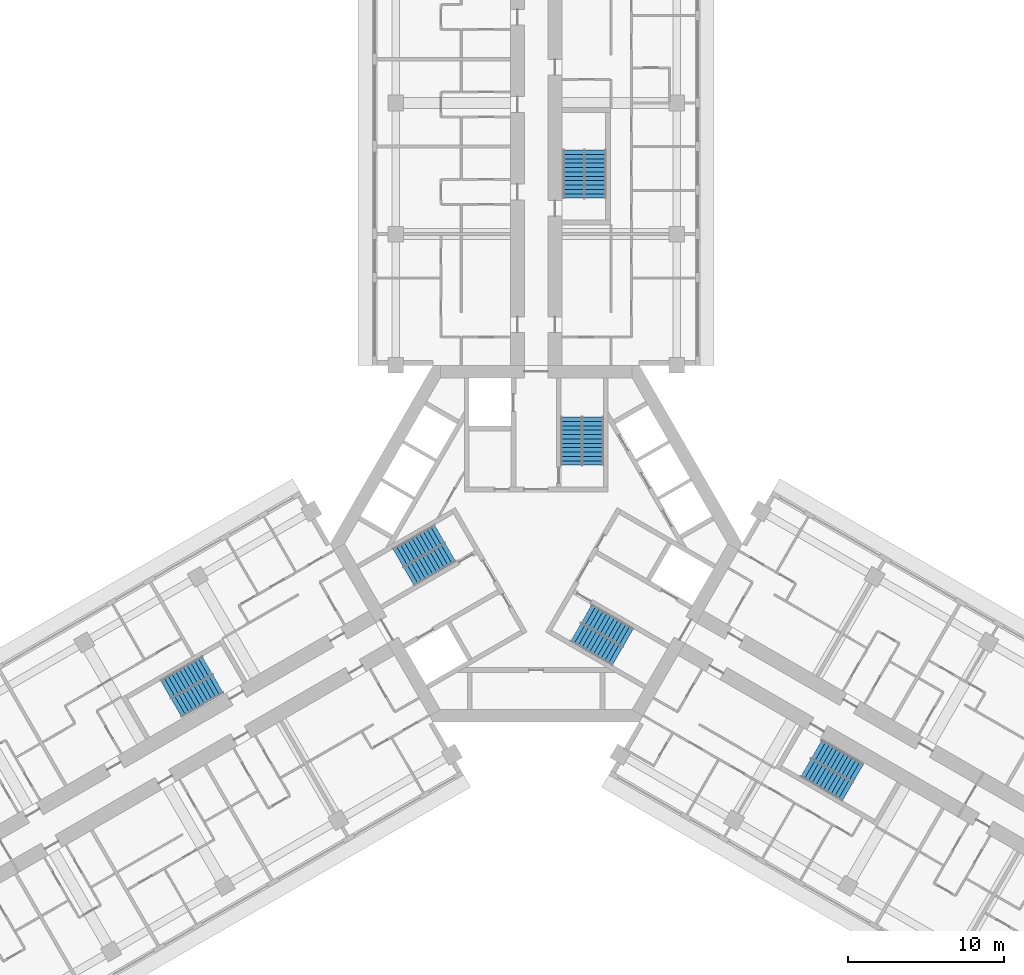
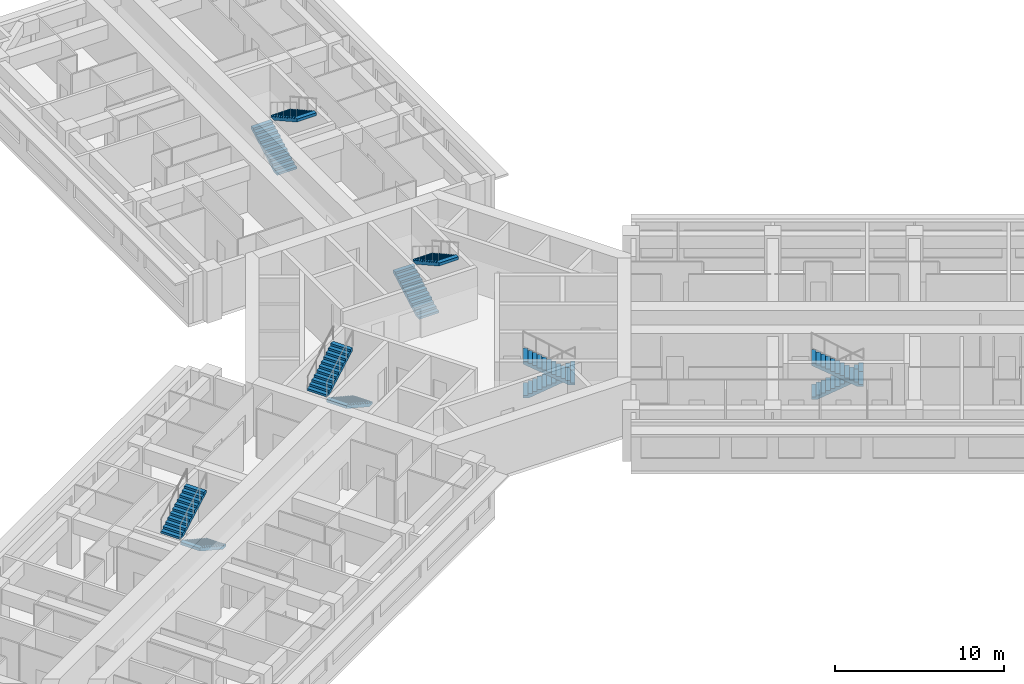
# One storey, part 14 of 15: 12 stair flights, 6 elements without a shape of their own.
"""IFC4 building model written with IfcOpenShell, lengths in metres."""

import ifcopenshell
import ifcopenshell.guid

model = None  # the IFC model being written
_history = None  # IfcOwnerHistory: only IFC2X3 demands one
_inside = {}  # id of a spatial element -> (the spatial element, [elements in it])
_under = {}  # id of a project, library or spatial element -> (it, [spatial elements below it])
_declared = {}  # id of a project -> (the project, [libraries it declares])
_typed = {}  # id of a type object -> (the type object, [elements of that type])
_made_of = {}  # id of a material, layer set ... -> (it, [elements and type objects made of it])


def new_model(schema):
    """Start an empty IFC model of exactly this schema.

    Asked for "IFC4X3", IfcOpenShell would pick the latest addendum, in which some entities
    have other attributes; the version numbers below select the first issue.
    IFC2X3 requires an IfcOwnerHistory on every rooted entity: one is made here for all.
    """
    global model, _history
    if schema == "IFC4X3":
        model = ifcopenshell.file(schema_version=(4, 3, 0, 0))
    else:
        model = ifcopenshell.file(schema=schema)
    _inside.clear()
    _under.clear()
    _declared.clear()
    _typed.clear()
    _made_of.clear()
    _history = None
    if model.schema == "IFC2X3":
        org = make("IfcOrganization", Name="unknown")
        user = make(
            "IfcPersonAndOrganization",
            ThePerson=make("IfcPerson", FamilyName="unknown"),
            TheOrganization=org,
        )
        app = make(
            "IfcApplication",
            ApplicationDeveloper=org,
            Version="unknown",
            ApplicationFullName="unknown",
            ApplicationIdentifier="unknown",
        )
        _history = make(
            "IfcOwnerHistory",
            OwningUser=user,
            OwningApplication=app,
            ChangeAction="ADDED",
            CreationDate=0,
        )
    return model


def make(cls, **values):
    """One entity of the class cls with the attributes given. An attribute that is None is left unset."""
    return model.create_entity(
        cls, **{name: value for name, value in values.items() if value is not None}
    )


def rooted(cls, **values):
    """An entity with a GlobalId (a new one), such as an element, a storey or a relation."""
    return make(cls, GlobalId=ifcopenshell.guid.new(), OwnerHistory=_history, **values)


def si_unit(unit_type, name, prefix=None):
    """IfcSIUnit, for example si_unit("LENGTHUNIT", "METRE", prefix="MILLI")."""
    return make("IfcSIUnit", UnitType=unit_type, Prefix=prefix, Name=name)


def assignment(units):
    """IfcUnitAssignment: the units of a project."""
    return None if units is None else make("IfcUnitAssignment", Units=units)


def point(xyz):
    """IfcCartesianPoint."""
    return None if xyz is None else make("IfcCartesianPoint", Coordinates=xyz)


def direction(xyz):
    """IfcDirection."""
    return None if xyz is None else make("IfcDirection", DirectionRatios=xyz)


def frame(location, z_axis=None, x_axis=None):
    """IfcAxis2Placement3D, a coordinate frame: its origin and axes. An axis left out is left unset."""
    return make(
        "IfcAxis2Placement3D",
        Location=point(location),
        Axis=direction(z_axis),
        RefDirection=direction(x_axis),
    )


def origin():
    """The frame at (0, 0, 0) with its axes left unset."""
    return frame((0.0, 0.0, 0.0))


def place(relative_to, where):
    """IfcLocalPlacement: puts the frame where relative to a parent placement (None: the world)."""
    return make(
        "IfcLocalPlacement", PlacementRelTo=relative_to, RelativePlacement=where
    )


def context(
    kind, dimensions, precision=None, world=None, true_north=None, identifier=None
):
    """IfcGeometricRepresentationContext, for example the 3D "Model" context."""
    return make(
        "IfcGeometricRepresentationContext",
        ContextIdentifier=identifier,
        ContextType=kind,
        CoordinateSpaceDimension=dimensions,
        Precision=precision,
        WorldCoordinateSystem=world,
        TrueNorth=true_north,
    )


def subcontext(parent, identifier, kind, view, scale=None):
    """IfcGeometricRepresentationSubContext, for example "Body" below "Model"."""
    return make(
        "IfcGeometricRepresentationSubContext",
        ContextIdentifier=identifier,
        ContextType=kind,
        ParentContext=parent,
        TargetScale=scale,
        TargetView=view,
    )


def project(units=None, contexts=None):
    """IfcProject with its units and contexts."""
    return rooted(
        "IfcProject",
        Name="project",
        RepresentationContexts=contexts,
        UnitsInContext=assignment(units),
    )


def spatial(cls, under=None, at=None, **own):
    """A site, building, storey or space (cls), placed at a placement, below another one or the project."""
    s = rooted(cls, ObjectPlacement=at, **own)
    if under is not None:
        _under.setdefault(under.id(), (under, []))[1].append(s)
    return s


def polyline(points):
    """IfcPolyline through the points."""
    return make("IfcPolyline", Points=[point(p) for p in points])


def outline(outer, holes=None, kind="AREA"):
    """IfcArbitraryClosedProfileDef: a profile drawn as a closed curve; with holes, ...WithVoids."""
    if holes is None:
        return make("IfcArbitraryClosedProfileDef", ProfileType=kind, OuterCurve=outer)
    return make(
        "IfcArbitraryProfileDefWithVoids",
        ProfileType=kind,
        OuterCurve=outer,
        InnerCurves=holes,
    )


def extrude(swept, where, along, depth):
    """IfcExtrudedAreaSolid: the profile swept, set in the frame where, extruded along a direction by depth."""
    return make(
        "IfcExtrudedAreaSolid",
        SweptArea=swept,
        Position=where,
        ExtrudedDirection=direction(along),
        Depth=depth,
    )


def shape(context_of_items, identifier, shape_type, items):
    """IfcShapeRepresentation: the items that make up one representation, for example the "Body"."""
    return make(
        "IfcShapeRepresentation",
        ContextOfItems=context_of_items,
        RepresentationIdentifier=identifier,
        RepresentationType=shape_type,
        Items=items,
    )


def material(Name=None, Category=None):
    """IfcMaterial."""
    return make("IfcMaterial", Name=Name, Category=Category)


def made_of(thing, what):
    """Note that an element or type object is made of a material, layer set ...; save() writes the relation."""
    if what is not None:
        _made_of.setdefault(what.id(), (what, []))[1].append(thing)
    return thing


def type_object(cls, material=None, **own):
    """A type object (cls), such as IfcWallType, which elements share."""
    return made_of(rooted(cls, **own), material)


def element(
    cls,
    number,
    at=None,
    inside=None,
    cuts=None,
    type_object=None,
    material=None,
    context=None,
    identifier="Body",
    shape_type=None,
    held_by="IfcProductDefinitionShape",
    body=None,
    shapes=None,
    **own,
):
    """One element of the class cls, such as IfcWall. Its Tag is "e" and its number.

    at: its placement. inside: the storey or other place that contains it. cuts: it is an
    opening in that element (IfcRelVoidsElement). A single representation is given by context,
    identifier, shape_type and body (its items); several are given by shapes. held_by: the class
    of the entity that holds the representations. save() writes the other relations.
    """
    e = rooted(cls, Tag="e%d" % number, ObjectPlacement=at, **own)
    if body is not None:
        shapes = [shape(context, identifier, shape_type, body)]
    if shapes is not None:
        e.Representation = make(held_by, Representations=shapes)
    if inside is not None:
        _inside.setdefault(inside.id(), (inside, []))[1].append(e)
    if cuts is not None:
        rooted(
            "IfcRelVoidsElement", RelatingBuildingElement=cuts, RelatedOpeningElement=e
        )
    if type_object is not None:
        _typed.setdefault(type_object.id(), (type_object, []))[1].append(e)
    return made_of(e, material)


def aggregate(whole, parts):
    """IfcRelAggregates: a whole, such as a stair, and the parts it consists of."""
    return rooted("IfcRelAggregates", RelatingObject=whole, RelatedObjects=parts)


def save(model, path):
    """Write the relations noted so far, then the file.

    IfcRelAggregates (storeys below a building ...), IfcRelContainedInSpatialStructure (elements
    in a storey), IfcRelDefinesByType, IfcRelAssociatesMaterial and IfcRelDeclares: one each for
    every whole, place, type object, material and project.
    """
    for whole, parts in _under.values():
        aggregate(whole, parts)
    for where, things in _inside.values():
        rooted(
            "IfcRelContainedInSpatialStructure",
            RelatedElements=things,
            RelatingStructure=where,
        )
    for kind, things in _typed.values():
        rooted("IfcRelDefinesByType", RelatedObjects=things, RelatingType=kind)
    for what, things in _made_of.values():
        rooted("IfcRelAssociatesMaterial", RelatedObjects=things, RelatingMaterial=what)
    for by, libraries in _declared.values():
        rooted("IfcRelDeclares", RelatingContext=by, RelatedDefinitions=libraries)
    model.write(path)


model = new_model("IFC4")

# Units and contexts
model_context = context("Model", 3, precision=1e-05, world=origin(), true_north=direction((0.0, 1.0)))
body_context = subcontext(model_context, "Body", "Model", "MODEL_VIEW")
ifc_project = project(units=[si_unit("LENGTHUNIT", "METRE"), si_unit("AREAUNIT", "SQUARE_METRE"), si_unit("VOLUMEUNIT", "CUBIC_METRE"), si_unit("PLANEANGLEUNIT", "RADIAN"), si_unit("MASSUNIT", "GRAM", prefix="KILO")], contexts=[model_context])

# Site, building, storey
site_placement = place(None, origin())
site = spatial("IfcSite", under=ifc_project, at=site_placement, CompositionType="ELEMENT")
building_placement = place(site_placement, origin())
building = spatial("IfcBuilding", under=site, at=building_placement, Name="Impinga Residences", CompositionType="ELEMENT")
storey_placement = place(building_placement, frame((0.0, 0.0, 109.75)))
storey = spatial("IfcBuildingStorey", under=building, at=storey_placement, Name="L26", CompositionType="ELEMENT", Elevation=109.75)

# Stair, stair flights
ifc_material = material(Name="Concrete C40/50", Category="concrete")
stair_type_1 = type_object("IfcStairType", Name="STR core stair 3750 storey, 24 risers", PredefinedType="HALF_TURN_STAIR", material=ifc_material)
stair_1_placement = place(storey_placement, origin())
stair_1 = element("IfcStair", 1, at=stair_1_placement, inside=storey, type_object=stair_type_1, Name="Stair ST1 L26", PredefinedType="HALF_TURN_STAIR")
stair_flight_type = type_object("IfcStairFlightType", Name="SF 12 risers of 156", PredefinedType="STRAIGHT", material=ifc_material)
stair_flight_1_placement = place(storey_placement, frame((2.27490234375, 5.030029296875, 0.0), z_axis=(0.0, 0.0, 1.0), x_axis=(0.0, 1.0, 0.0)))
stair_flight_1 = element("IfcStairFlight", 2, at=stair_flight_1_placement, type_object=stair_flight_type, Name="ST1 flight 1", NumberOfRisers=12, NumberOfTreads=11, PredefinedType="STRAIGHT", RiserHeight=0.15625, TreadLength=0.28, context=body_context, shape_type="SweptSolid", body=[
    extrude(outline(polyline([(0.0, 0.0), (0.0, 0.15625), (0.280029296875, 0.15625), (0.280029296875, 0.3125), (0.56005859375, 0.3125), (0.56005859375, 0.46875), (0.840087890625, 0.46875), (0.840087890625, 0.625), (1.1201171875, 0.625), (1.1201171875, 0.78125), (1.39990234375, 0.78125), (1.39990234375, 0.9375), (1.679931640625, 0.9375), (1.679931640625, 1.09375), (1.9599609375, 1.09375), (1.9599609375, 1.25), (2.239990234375, 1.25), (2.239990234375, 1.40625), (2.52001953125, 1.40625), (2.52001953125, 1.5625), (2.800048828125, 1.5625), (2.800048828125, 1.71875), (3.080078125, 1.71875), (3.080078125, 1.875), (3.080078125, 1.5126953125), (0.369140625, 0.0), (0.0, 0.0)])), frame((0.0, 0.675048828125, 0.0), z_axis=(0.0, -1.0, 0.0), x_axis=(1.0, 0.0, 0.0)), (0.0, 0.0, 1.0), 1.35009765625),
])
stair_flight_2_placement = place(storey_placement, frame((3.625, 8.110107421875, 1.875), z_axis=(0.0, 0.0, 1.0), x_axis=(0.0, -1.0, 0.0)))
stair_flight_2 = element("IfcStairFlight", 3, at=stair_flight_2_placement, type_object=stair_flight_type, Name="ST1 flight 2", NumberOfRisers=12, NumberOfTreads=11, PredefinedType="STRAIGHT", RiserHeight=0.15625, TreadLength=0.28, context=body_context, shape_type="SweptSolid", body=[
    extrude(outline(polyline([(0.0, 0.0), (0.0, 0.15625), (0.280029296875, 0.15625), (0.280029296875, 0.3125), (0.56005859375, 0.3125), (0.56005859375, 0.46875), (0.840087890625, 0.46875), (0.840087890625, 0.625), (1.1201171875, 0.625), (1.1201171875, 0.78125), (1.39990234375, 0.78125), (1.39990234375, 0.9375), (1.679931640625, 0.9375), (1.679931640625, 1.09375), (1.9599609375, 1.09375), (1.9599609375, 1.25), (2.239990234375, 1.25), (2.239990234375, 1.40625), (2.52001953125, 1.40625), (2.52001953125, 1.5625), (2.800048828125, 1.5625), (2.800048828125, 1.71875), (3.080078125, 1.71875), (3.080078125, 1.875), (3.080078125, 1.5126953125), (0.369140625, 0.0), (0.0, 0.0)])), frame((0.0, 0.675048828125, 0.0), z_axis=(0.0, -1.0, 0.0), x_axis=(1.0, 0.0, 0.0)), (0.0, 0.0, 1.0), 1.35009765625),
])
aggregate(stair_1, [stair_flight_1, stair_flight_2])

stair_2_placement = place(storey_placement, origin())
stair_2 = element("IfcStair", 4, at=stair_2_placement, inside=storey, type_object=stair_type_1, Name="Stair ST2 L26", PredefinedType="HALF_TURN_STAIR")
stair_flight_3_placement = place(storey_placement, frame((-5.49365234375, -0.544677734375, 0.0), z_axis=(0.0, 0.0, 1.0), x_axis=(-0.866025403784, -0.5, 0.0)))
stair_flight_3 = element("IfcStairFlight", 5, at=stair_flight_3_placement, type_object=stair_flight_type, Name="ST2 flight 1", NumberOfRisers=12, NumberOfTreads=11, PredefinedType="STRAIGHT", RiserHeight=0.15625, TreadLength=0.28, context=body_context, shape_type="SweptSolid", body=[
    extrude(outline(polyline([(0.0, 0.0), (0.0, 0.15625), (0.280029296875, 0.15625), (0.280029296875, 0.3125), (0.56005859375, 0.3125), (0.56005859375, 0.46875), (0.840087890625, 0.46875), (0.840087890625, 0.625), (1.1201171875, 0.625), (1.1201171875, 0.78125), (1.39990234375, 0.78125), (1.39990234375, 0.9375), (1.679931640625, 0.9375), (1.679931640625, 1.09375), (1.9599609375, 1.09375), (1.9599609375, 1.25), (2.239990234375, 1.25), (2.239990234375, 1.40625), (2.52001953125, 1.40625), (2.52001953125, 1.5625), (2.800048828125, 1.5625), (2.800048828125, 1.71875), (3.080078125, 1.71875), (3.080078125, 1.875), (3.080078125, 1.5126953125), (0.369140625, 0.0), (0.0, 0.0)])), frame((0.0, 0.675048828125, 0.0), z_axis=(0.0, -1.0, 0.0), x_axis=(1.0, 0.0, 0.0)), (0.0, 0.0, 1.0), 1.35009765625),
])
stair_flight_4_placement = place(storey_placement, frame((-8.8359375, -0.915771484375, 1.875), z_axis=(0.0, 0.0, 1.0), x_axis=(0.866025403784, 0.5, 0.0)))
stair_flight_4 = element("IfcStairFlight", 6, at=stair_flight_4_placement, type_object=stair_flight_type, Name="ST2 flight 2", NumberOfRisers=12, NumberOfTreads=11, PredefinedType="STRAIGHT", RiserHeight=0.15625, TreadLength=0.28, context=body_context, shape_type="SweptSolid", body=[
    extrude(outline(polyline([(0.0, 0.0), (0.0, 0.15625), (0.280029296875, 0.15625), (0.280029296875, 0.3125), (0.56005859375, 0.3125), (0.56005859375, 0.46875), (0.840087890625, 0.46875), (0.840087890625, 0.625), (1.1201171875, 0.625), (1.1201171875, 0.78125), (1.39990234375, 0.78125), (1.39990234375, 0.9375), (1.679931640625, 0.9375), (1.679931640625, 1.09375), (1.9599609375, 1.09375), (1.9599609375, 1.25), (2.239990234375, 1.25), (2.239990234375, 1.40625), (2.52001953125, 1.40625), (2.52001953125, 1.5625), (2.800048828125, 1.5625), (2.800048828125, 1.71875), (3.080078125, 1.71875), (3.080078125, 1.875), (3.080078125, 1.5126953125), (0.369140625, 0.0), (0.0, 0.0)])), frame((0.0, 0.675048828125, 0.0), z_axis=(0.0, -1.0, 0.0), x_axis=(1.0, 0.0, 0.0)), (0.0, 0.0, 1.0), 1.35009765625),
])
aggregate(stair_2, [stair_flight_3, stair_flight_4])

stair_3_placement = place(storey_placement, origin())
stair_3 = element("IfcStair", 7, at=stair_3_placement, inside=storey, type_object=stair_type_1, Name="Stair ST3 L26", PredefinedType="HALF_TURN_STAIR")
stair_flight_5_placement = place(storey_placement, frame((3.218505859375, -4.485107421875, 0.0), z_axis=(0.0, 0.0, 1.0), x_axis=(0.866025403784, -0.5, 0.0)))
stair_flight_5 = element("IfcStairFlight", 8, at=stair_flight_5_placement, type_object=stair_flight_type, Name="ST3 flight 1", NumberOfRisers=12, NumberOfTreads=11, PredefinedType="STRAIGHT", RiserHeight=0.15625, TreadLength=0.28, context=body_context, shape_type="SweptSolid", body=[
    extrude(outline(polyline([(0.0, 0.0), (0.0, 0.15625), (0.280029296875, 0.15625), (0.280029296875, 0.3125), (0.56005859375, 0.3125), (0.56005859375, 0.46875), (0.840087890625, 0.46875), (0.840087890625, 0.625), (1.1201171875, 0.625), (1.1201171875, 0.78125), (1.39990234375, 0.78125), (1.39990234375, 0.9375), (1.679931640625, 0.9375), (1.679931640625, 1.09375), (1.9599609375, 1.09375), (1.9599609375, 1.25), (2.239990234375, 1.25), (2.239990234375, 1.40625), (2.52001953125, 1.40625), (2.52001953125, 1.5625), (2.800048828125, 1.5625), (2.800048828125, 1.71875), (3.080078125, 1.71875), (3.080078125, 1.875), (3.080078125, 1.5126953125), (0.369140625, 0.0), (0.0, 0.0)])), frame((0.0, 0.675048828125, 0.0), z_axis=(0.0, -1.0, 0.0), x_axis=(1.0, 0.0, 0.0)), (0.0, 0.0, 1.0), 1.35009765625),
])
stair_flight_6_placement = place(storey_placement, frame((5.2109375, -7.1943359375, 1.875), z_axis=(0.0, 0.0, 1.0), x_axis=(-0.866025403784, 0.5, 0.0)))
stair_flight_6 = element("IfcStairFlight", 9, at=stair_flight_6_placement, type_object=stair_flight_type, Name="ST3 flight 2", NumberOfRisers=12, NumberOfTreads=11, PredefinedType="STRAIGHT", RiserHeight=0.15625, TreadLength=0.28, context=body_context, shape_type="SweptSolid", body=[
    extrude(outline(polyline([(0.0, 0.0), (0.0, 0.15625), (0.280029296875, 0.15625), (0.280029296875, 0.3125), (0.56005859375, 0.3125), (0.56005859375, 0.46875), (0.840087890625, 0.46875), (0.840087890625, 0.625), (1.1201171875, 0.625), (1.1201171875, 0.78125), (1.39990234375, 0.78125), (1.39990234375, 0.9375), (1.679931640625, 0.9375), (1.679931640625, 1.09375), (1.9599609375, 1.09375), (1.9599609375, 1.25), (2.239990234375, 1.25), (2.239990234375, 1.40625), (2.52001953125, 1.40625), (2.52001953125, 1.5625), (2.800048828125, 1.5625), (2.800048828125, 1.71875), (3.080078125, 1.71875), (3.080078125, 1.875), (3.080078125, 1.5126953125), (0.369140625, 0.0), (0.0, 0.0)])), frame((0.0, 0.675048828125, 0.0), z_axis=(0.0, -1.0, 0.0), x_axis=(1.0, 0.0, 0.0)), (0.0, 0.0, 1.0), 1.35009765625),
])
aggregate(stair_3, [stair_flight_5, stair_flight_6])

stair_type_2 = type_object("IfcStairType", Name="STR wing stair 3750 storey, 24 risers", PredefinedType="HALF_TURN_STAIR", material=ifc_material)
stair_4_placement = place(storey_placement, origin())
stair_4 = element("IfcStair", 10, at=stair_4_placement, inside=storey, type_object=stair_type_2, Name="Stair WS1 L26", PredefinedType="HALF_TURN_STAIR")
stair_flight_7_placement = place(storey_placement, frame((2.425048828125, 22.131591796875, 0.0), z_axis=(0.0, 0.0, 1.0), x_axis=(0.0, 1.0, 0.0)))
stair_flight_7 = element("IfcStairFlight", 11, at=stair_flight_7_placement, type_object=stair_flight_type, Name="WS1 flight 1", NumberOfRisers=12, NumberOfTreads=11, PredefinedType="STRAIGHT", RiserHeight=0.15625, TreadLength=0.28, context=body_context, shape_type="SweptSolid", body=[
    extrude(outline(polyline([(0.0, 0.0), (0.0, 0.15625), (0.280029296875, 0.15625), (0.280029296875, 0.3125), (0.56005859375, 0.3125), (0.56005859375, 0.46875), (0.840087890625, 0.46875), (0.840087890625, 0.625), (1.1201171875, 0.625), (1.1201171875, 0.78125), (1.39990234375, 0.78125), (1.39990234375, 0.9375), (1.679931640625, 0.9375), (1.679931640625, 1.09375), (1.9599609375, 1.09375), (1.9599609375, 1.25), (2.239990234375, 1.25), (2.239990234375, 1.40625), (2.52001953125, 1.40625), (2.52001953125, 1.5625), (2.800048828125, 1.5625), (2.800048828125, 1.71875), (3.080078125, 1.71875), (3.080078125, 1.875), (3.080078125, 1.5126953125), (0.369140625, 0.0), (0.0, 0.0)])), frame((0.0, 0.675048828125, 0.0), z_axis=(0.0, -1.0, 0.0), x_axis=(1.0, 0.0, 0.0)), (0.0, 0.0, 1.0), 1.35009765625),
])
stair_flight_8_placement = place(storey_placement, frame((3.77490234375, 25.21142578125, 1.875), z_axis=(0.0, 0.0, 1.0), x_axis=(0.0, -1.0, 0.0)))
stair_flight_8 = element("IfcStairFlight", 12, at=stair_flight_8_placement, type_object=stair_flight_type, Name="WS1 flight 2", NumberOfRisers=12, NumberOfTreads=11, PredefinedType="STRAIGHT", RiserHeight=0.15625, TreadLength=0.28, context=body_context, shape_type="SweptSolid", body=[
    extrude(outline(polyline([(0.0, 0.0), (0.0, 0.15625), (0.280029296875, 0.15625), (0.280029296875, 0.3125), (0.56005859375, 0.3125), (0.56005859375, 0.46875), (0.840087890625, 0.46875), (0.840087890625, 0.625), (1.1201171875, 0.625), (1.1201171875, 0.78125), (1.39990234375, 0.78125), (1.39990234375, 0.9375), (1.679931640625, 0.9375), (1.679931640625, 1.09375), (1.9599609375, 1.09375), (1.9599609375, 1.25), (2.239990234375, 1.25), (2.239990234375, 1.40625), (2.52001953125, 1.40625), (2.52001953125, 1.5625), (2.800048828125, 1.5625), (2.800048828125, 1.71875), (3.080078125, 1.71875), (3.080078125, 1.875), (3.080078125, 1.5126953125), (0.369140625, 0.0), (0.0, 0.0)])), frame((0.0, 0.675048828125, 0.0), z_axis=(0.0, -1.0, 0.0), x_axis=(1.0, 0.0, 0.0)), (0.0, 0.0, 1.0), 1.35009765625),
])
aggregate(stair_4, [stair_flight_7, stair_flight_8])

stair_5_placement = place(storey_placement, origin())
stair_5 = element("IfcStair", 13, at=stair_5_placement, inside=storey, type_object=stair_type_2, Name="Stair WS2 L26", PredefinedType="HALF_TURN_STAIR")
stair_flight_9_placement = place(storey_placement, frame((-20.37890625, -8.965576171875, 0.0), z_axis=(0.0, 0.0, 1.0), x_axis=(-0.866025403784, -0.5, 0.0)))
stair_flight_9 = element("IfcStairFlight", 14, at=stair_flight_9_placement, type_object=stair_flight_type, Name="WS2 flight 1", NumberOfRisers=12, NumberOfTreads=11, PredefinedType="STRAIGHT", RiserHeight=0.15625, TreadLength=0.28, context=body_context, shape_type="SweptSolid", body=[
    extrude(outline(polyline([(0.0, 0.0), (0.0, 0.15625), (0.280029296875, 0.15625), (0.280029296875, 0.3125), (0.56005859375, 0.3125), (0.56005859375, 0.46875), (0.840087890625, 0.46875), (0.840087890625, 0.625), (1.1201171875, 0.625), (1.1201171875, 0.78125), (1.39990234375, 0.78125), (1.39990234375, 0.9375), (1.679931640625, 0.9375), (1.679931640625, 1.09375), (1.9599609375, 1.09375), (1.9599609375, 1.25), (2.239990234375, 1.25), (2.239990234375, 1.40625), (2.52001953125, 1.40625), (2.52001953125, 1.5625), (2.800048828125, 1.5625), (2.800048828125, 1.71875), (3.080078125, 1.71875), (3.080078125, 1.875), (3.080078125, 1.5126953125), (0.369140625, 0.0), (0.0, 0.0)])), frame((0.0, 0.675048828125, 0.0), z_axis=(0.0, -1.0, 0.0), x_axis=(1.0, 0.0, 0.0)), (0.0, 0.0, 1.0), 1.35009765625),
])
stair_flight_10_placement = place(storey_placement, frame((-23.721435546875, -9.33642578125, 1.875), z_axis=(0.0, 0.0, 1.0), x_axis=(0.866025403784, 0.5, 0.0)))
stair_flight_10 = element("IfcStairFlight", 15, at=stair_flight_10_placement, type_object=stair_flight_type, Name="WS2 flight 2", NumberOfRisers=12, NumberOfTreads=11, PredefinedType="STRAIGHT", RiserHeight=0.15625, TreadLength=0.28, context=body_context, shape_type="SweptSolid", body=[
    extrude(outline(polyline([(0.0, 0.0), (0.0, 0.15625), (0.280029296875, 0.15625), (0.280029296875, 0.3125), (0.56005859375, 0.3125), (0.56005859375, 0.46875), (0.840087890625, 0.46875), (0.840087890625, 0.625), (1.1201171875, 0.625), (1.1201171875, 0.78125), (1.39990234375, 0.78125), (1.39990234375, 0.9375), (1.679931640625, 0.9375), (1.679931640625, 1.09375), (1.9599609375, 1.09375), (1.9599609375, 1.25), (2.239990234375, 1.25), (2.239990234375, 1.40625), (2.52001953125, 1.40625), (2.52001953125, 1.5625), (2.800048828125, 1.5625), (2.800048828125, 1.71875), (3.080078125, 1.71875), (3.080078125, 1.875), (3.080078125, 1.5126953125), (0.369140625, 0.0), (0.0, 0.0)])), frame((0.0, 0.675048828125, 0.0), z_axis=(0.0, -1.0, 0.0), x_axis=(1.0, 0.0, 0.0)), (0.0, 0.0, 1.0), 1.35009765625),
])
aggregate(stair_5, [stair_flight_9, stair_flight_10])

stair_6_placement = place(storey_placement, origin())
stair_6 = element("IfcStair", 16, at=stair_6_placement, inside=storey, type_object=stair_type_2, Name="Stair WS3 L26", PredefinedType="HALF_TURN_STAIR")
stair_flight_11_placement = place(storey_placement, frame((17.953857421875, -13.165771484375, 0.0), z_axis=(0.0, 0.0, 1.0), x_axis=(0.866025403784, -0.5, 0.0)))
stair_flight_11 = element("IfcStairFlight", 17, at=stair_flight_11_placement, type_object=stair_flight_type, Name="WS3 flight 1", NumberOfRisers=12, NumberOfTreads=11, PredefinedType="STRAIGHT", RiserHeight=0.15625, TreadLength=0.28, context=body_context, shape_type="SweptSolid", body=[
    extrude(outline(polyline([(0.0, 0.0), (0.0, 0.15625), (0.280029296875, 0.15625), (0.280029296875, 0.3125), (0.56005859375, 0.3125), (0.56005859375, 0.46875), (0.840087890625, 0.46875), (0.840087890625, 0.625), (1.1201171875, 0.625), (1.1201171875, 0.78125), (1.39990234375, 0.78125), (1.39990234375, 0.9375), (1.679931640625, 0.9375), (1.679931640625, 1.09375), (1.9599609375, 1.09375), (1.9599609375, 1.25), (2.239990234375, 1.25), (2.239990234375, 1.40625), (2.52001953125, 1.40625), (2.52001953125, 1.5625), (2.800048828125, 1.5625), (2.800048828125, 1.71875), (3.080078125, 1.71875), (3.080078125, 1.875), (3.080078125, 1.5126953125), (0.369140625, 0.0), (0.0, 0.0)])), frame((0.0, 0.675048828125, 0.0), z_axis=(0.0, -1.0, 0.0), x_axis=(1.0, 0.0, 0.0)), (0.0, 0.0, 1.0), 1.35009765625),
])
stair_flight_12_placement = place(storey_placement, frame((19.9462890625, -15.875, 1.875), z_axis=(0.0, 0.0, 1.0), x_axis=(-0.866025403784, 0.5, 0.0)))
stair_flight_12 = element("IfcStairFlight", 18, at=stair_flight_12_placement, type_object=stair_flight_type, Name="WS3 flight 2", NumberOfRisers=12, NumberOfTreads=11, PredefinedType="STRAIGHT", RiserHeight=0.15625, TreadLength=0.28, context=body_context, shape_type="SweptSolid", body=[
    extrude(outline(polyline([(0.0, 0.0), (0.0, 0.15625), (0.280029296875, 0.15625), (0.280029296875, 0.3125), (0.56005859375, 0.3125), (0.56005859375, 0.46875), (0.840087890625, 0.46875), (0.840087890625, 0.625), (1.1201171875, 0.625), (1.1201171875, 0.78125), (1.39990234375, 0.78125), (1.39990234375, 0.9375), (1.679931640625, 0.9375), (1.679931640625, 1.09375), (1.9599609375, 1.09375), (1.9599609375, 1.25), (2.239990234375, 1.25), (2.239990234375, 1.40625), (2.52001953125, 1.40625), (2.52001953125, 1.5625), (2.800048828125, 1.5625), (2.800048828125, 1.71875), (3.080078125, 1.71875), (3.080078125, 1.875), (3.080078125, 1.5126953125), (0.369140625, 0.0), (0.0, 0.0)])), frame((0.0, 0.675048828125, 0.0), z_axis=(0.0, -1.0, 0.0), x_axis=(1.0, 0.0, 0.0)), (0.0, 0.0, 1.0), 1.35009765625),
])
aggregate(stair_6, [stair_flight_11, stair_flight_12])

save(model, "model.ifc")
